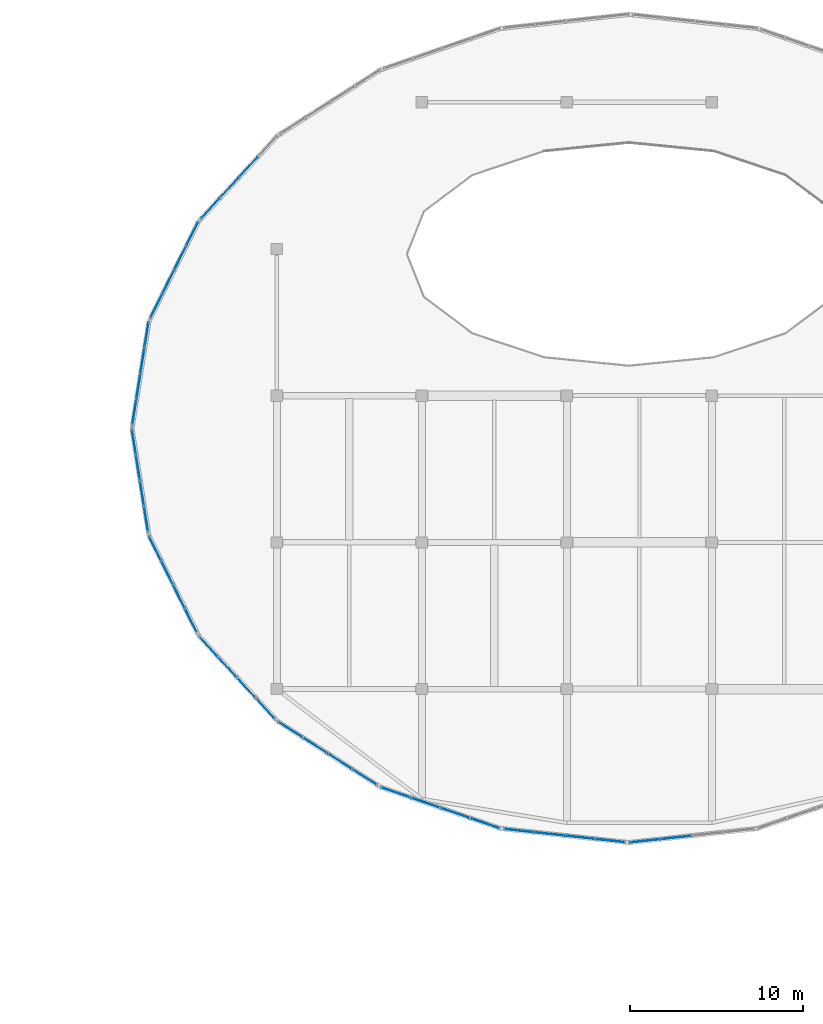
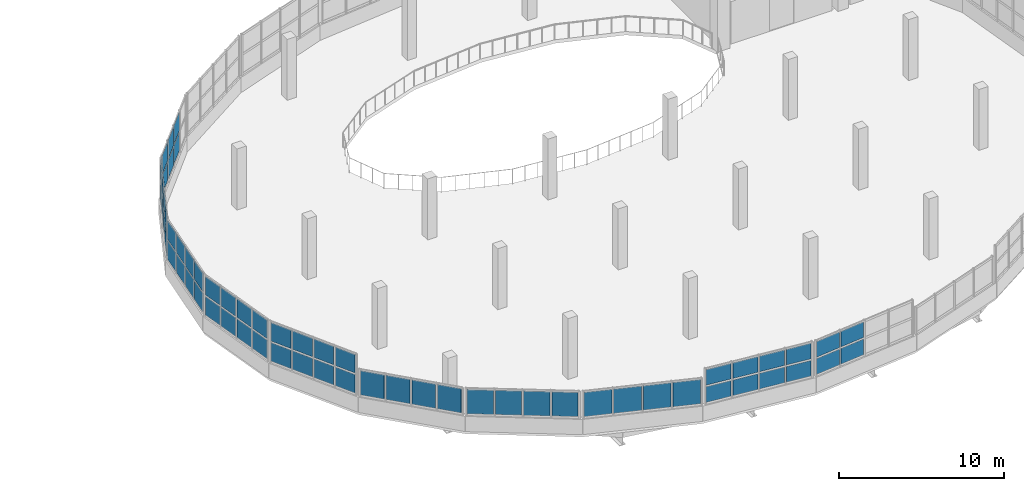
# One storey, part 32 of 50: 62 plates, 10 elements without a shape of their own.
"""IFC4 building model written with IfcOpenShell, lengths in metres."""

from ifc_helpers import new_model, si_unit, direction, frame, origin, origin_2d, place, context, subcontext, project, spatial, rectangle, extrude, material, type_object, element, aggregate, save


model = new_model("IFC4")

# Units and contexts
model_context = context("Model", 3, precision=1e-05, world=origin(), true_north=direction((0.0, 1.0)))
body_context = subcontext(model_context, "Body", "Model", "MODEL_VIEW")
ifc_project = project(units=[si_unit("LENGTHUNIT", "METRE"), si_unit("AREAUNIT", "SQUARE_METRE"), si_unit("VOLUMEUNIT", "CUBIC_METRE"), si_unit("PLANEANGLEUNIT", "RADIAN"), si_unit("MASSUNIT", "GRAM", prefix="KILO")], contexts=[model_context])

# Site, building, storey
site_placement = place(None, origin())
site = spatial("IfcSite", under=ifc_project, at=site_placement, CompositionType="ELEMENT")
building_placement = place(site_placement, origin())
building = spatial("IfcBuilding", under=site, at=building_placement, Name="Solvento Point Concert Hall", CompositionType="ELEMENT")
storey_placement = place(building_placement, frame((0.0, 0.0, 15.0)))
storey = spatial("IfcBuildingStorey", under=building, at=storey_placement, Name="L03", CompositionType="ELEMENT", Elevation=15.0)

# Curtain wall, plates
ifc_material_1 = material(Name="Anodized Bronze Aluminium", Category="aluminium")
curtain_wall_type = type_object("IfcCurtainWallType", Name="CurtainWall_RingRibbon_L03_04", PredefinedType="USERDEFINED", material=ifc_material_1)
curtain_wall_1_placement = place(storey_placement, origin())
curtain_wall_1 = element("IfcCurtainWall", 1, at=curtain_wall_1_placement, inside=storey, type_object=curtain_wall_type, Name="Unitised curtain wall CW-31 UCW-L03-186", ObjectType="UNITISED CURTAIN WALL", PredefinedType="USERDEFINED")
ifc_material_2 = material(Name="Hurricane Laminated Low-E Glass", Category="glass")
plate_type = type_object("IfcPlateType", Name="CurtainPanel_RingUpper", PredefinedType="CURTAIN_PANEL", material=ifc_material_2)
plate_1_placement = place(storey_placement, frame((52.8564453125, 9.224853515625, 1.239990234375), z_axis=(0.0, 0.0, 1.0), x_axis=(-0.945271125843, 0.326285915492, 0.0)))
plate_1 = element("IfcPlate", 2, at=plate_1_placement, type_object=plate_type, Name="Glazed curtain panel GL-03", PredefinedType="CURTAIN_PANEL", context=body_context, shape_type="SweptSolid", body=[
    extrude(rectangle(XDim=1.701904296875, YDim=0.035888671875, at=origin_2d()), origin(), (0.0, 0.0, 1.0), 1.7919921875),
])
plate_2_placement = place(storey_placement, frame((51.13427734375, 9.8193359375, 1.239990234375), z_axis=(0.0, 0.0, 1.0), x_axis=(-0.945271125843, 0.326285915492, 0.0)))
plate_2 = element("IfcPlate", 3, at=plate_2_placement, type_object=plate_type, Name="Glazed curtain panel GL-03", PredefinedType="CURTAIN_PANEL", context=body_context, shape_type="SweptSolid", body=[
    extrude(rectangle(XDim=1.701904296875, YDim=0.035888671875, at=origin_2d()), origin(), (0.0, 0.0, 1.0), 1.7919921875),
])
plate_3_placement = place(storey_placement, frame((49.411865234375, 10.413818359375, 1.239990234375), z_axis=(0.0, 0.0, 1.0), x_axis=(-0.945271125843, 0.326285915492, 0.0)))
plate_3 = element("IfcPlate", 4, at=plate_3_placement, type_object=plate_type, Name="Glazed curtain panel GL-03", PredefinedType="CURTAIN_PANEL", context=body_context, shape_type="SweptSolid", body=[
    extrude(rectangle(XDim=1.701904296875, YDim=0.035888671875, at=origin_2d()), origin(), (0.0, 0.0, 1.0), 1.7919921875),
])
plate_4_placement = place(storey_placement, frame((47.689453125, 11.00830078125, 1.239990234375), z_axis=(0.0, 0.0, 1.0), x_axis=(-0.945271125843, 0.326285915492, 0.0)))
plate_4 = element("IfcPlate", 5, at=plate_4_placement, type_object=plate_type, Name="Glazed curtain panel GL-03", PredefinedType="CURTAIN_PANEL", context=body_context, shape_type="SweptSolid", body=[
    extrude(rectangle(XDim=1.701904296875, YDim=0.035888671875, at=origin_2d()), origin(), (0.0, 0.0, 1.0), 1.7919921875),
])
aggregate(curtain_wall_1, [plate_1, plate_2, plate_3, plate_4])

curtain_wall_2_placement = place(storey_placement, origin())
curtain_wall_2 = element("IfcCurtainWall", 6, at=curtain_wall_2_placement, inside=storey, type_object=curtain_wall_type, Name="Unitised curtain wall CW-31 UCW-L03-187", ObjectType="UNITISED CURTAIN WALL", PredefinedType="USERDEFINED")
plate_5_placement = place(storey_placement, frame((45.8955078125, 11.893798828125, 1.239990234375), z_axis=(0.0, 0.0, 1.0), x_axis=(-0.842490008251, 0.538711969421, 0.0)))
plate_5 = element("IfcPlate", 7, at=plate_5_placement, type_object=plate_type, Name="Glazed curtain panel GL-03", PredefinedType="CURTAIN_PANEL", context=body_context, shape_type="SweptSolid", body=[
    extrude(rectangle(XDim=1.58740234375, YDim=0.035888671875, at=origin_2d()), origin(), (0.0, 0.0, 1.0), 1.7919921875),
])
plate_6_placement = place(storey_placement, frame((44.456787109375, 12.813720703125, 1.239990234375), z_axis=(0.0, 0.0, 1.0), x_axis=(-0.842490008251, 0.538711969421, 0.0)))
plate_6 = element("IfcPlate", 8, at=plate_6_placement, type_object=plate_type, Name="Glazed curtain panel GL-03", PredefinedType="CURTAIN_PANEL", context=body_context, shape_type="SweptSolid", body=[
    extrude(rectangle(XDim=1.58740234375, YDim=0.035888671875, at=origin_2d()), origin(), (0.0, 0.0, 1.0), 1.7919921875),
])
plate_7_placement = place(storey_placement, frame((43.018310546875, 13.7333984375, 1.239990234375), z_axis=(0.0, 0.0, 1.0), x_axis=(-0.842490008251, 0.538711969421, 0.0)))
plate_7 = element("IfcPlate", 9, at=plate_7_placement, type_object=plate_type, Name="Glazed curtain panel GL-03", PredefinedType="CURTAIN_PANEL", context=body_context, shape_type="SweptSolid", body=[
    extrude(rectangle(XDim=1.58740234375, YDim=0.035888671875, at=origin_2d()), origin(), (0.0, 0.0, 1.0), 1.7919921875),
])
plate_8_placement = place(storey_placement, frame((41.579833984375, 14.6533203125, 1.239990234375), z_axis=(0.0, 0.0, 1.0), x_axis=(-0.842490008251, 0.538711969421, 0.0)))
plate_8 = element("IfcPlate", 10, at=plate_8_placement, type_object=plate_type, Name="Glazed curtain panel GL-03", PredefinedType="CURTAIN_PANEL", context=body_context, shape_type="SweptSolid", body=[
    extrude(rectangle(XDim=1.58740234375, YDim=0.035888671875, at=origin_2d()), origin(), (0.0, 0.0, 1.0), 1.7919921875),
])
aggregate(curtain_wall_2, [plate_5, plate_6, plate_7, plate_8])

curtain_wall_3_placement = place(storey_placement, origin())
curtain_wall_3 = element("IfcCurtainWall", 11, at=curtain_wall_3_placement, inside=storey, type_object=curtain_wall_type, Name="Unitised curtain wall CW-31 UCW-L03-188", ObjectType="UNITISED CURTAIN WALL", PredefinedType="USERDEFINED")
plate_9_placement = place(storey_placement, frame((40.13525390625, 15.8896484375, 1.239990234375), z_axis=(0.0, 0.0, 1.0), x_axis=(-0.677365302802, 0.735646821892, 0.0)))
plate_9 = element("IfcPlate", 12, at=plate_9_placement, type_object=plate_type, Name="Glazed curtain panel GL-03", PredefinedType="CURTAIN_PANEL", context=body_context, shape_type="SweptSolid", body=[
    extrude(rectangle(XDim=1.506591796875, YDim=0.035888671875, at=origin_2d()), origin(), (0.0, 0.0, 1.0), 1.7919921875),
])
plate_10_placement = place(storey_placement, frame((39.033447265625, 17.086181640625, 1.239990234375), z_axis=(0.0, 0.0, 1.0), x_axis=(-0.677365302802, 0.735646821892, 0.0)))
plate_10 = element("IfcPlate", 13, at=plate_10_placement, type_object=plate_type, Name="Glazed curtain panel GL-03", PredefinedType="CURTAIN_PANEL", context=body_context, shape_type="SweptSolid", body=[
    extrude(rectangle(XDim=1.506591796875, YDim=0.035888671875, at=origin_2d()), origin(), (0.0, 0.0, 1.0), 1.7919921875),
])
plate_11_placement = place(storey_placement, frame((37.931640625, 18.282958984375, 1.239990234375), z_axis=(0.0, 0.0, 1.0), x_axis=(-0.677365302802, 0.735646821892, 0.0)))
plate_11 = element("IfcPlate", 14, at=plate_11_placement, type_object=plate_type, Name="Glazed curtain panel GL-03", PredefinedType="CURTAIN_PANEL", context=body_context, shape_type="SweptSolid", body=[
    extrude(rectangle(XDim=1.506591796875, YDim=0.035888671875, at=origin_2d()), origin(), (0.0, 0.0, 1.0), 1.7919921875),
])
plate_12_placement = place(storey_placement, frame((36.829833984375, 19.4794921875, 1.239990234375), z_axis=(0.0, 0.0, 1.0), x_axis=(-0.677365302802, 0.735646821892, 0.0)))
plate_12 = element("IfcPlate", 15, at=plate_12_placement, type_object=plate_type, Name="Glazed curtain panel GL-03", PredefinedType="CURTAIN_PANEL", context=body_context, shape_type="SweptSolid", body=[
    extrude(rectangle(XDim=1.506591796875, YDim=0.035888671875, at=origin_2d()), origin(), (0.0, 0.0, 1.0), 1.7919921875),
])
aggregate(curtain_wall_3, [plate_9, plate_10, plate_11, plate_12])

curtain_wall_4_placement = place(storey_placement, origin())
curtain_wall_4 = element("IfcCurtainWall", 16, at=curtain_wall_4_placement, inside=storey, type_object=curtain_wall_type, Name="Unitised curtain wall CW-31 UCW-L03-189", ObjectType="UNITISED CURTAIN WALL", PredefinedType="USERDEFINED")
plate_13_placement = place(storey_placement, frame((35.814697265625, 20.99267578125, 1.240234375), z_axis=(0.0, 0.0, 1.0), x_axis=(-0.445115052099, 0.895473388993, 0.0)))
plate_13 = element("IfcPlate", 17, at=plate_13_placement, type_object=plate_type, Name="Glazed curtain panel GL-03", PredefinedType="CURTAIN_PANEL", context=body_context, shape_type="SweptSolid", body=[
    extrude(rectangle(XDim=1.43359375, YDim=0.035888671875, at=origin_2d()), origin(), (0.0, 0.0, 1.0), 1.364990234375),
])
plate_14_placement = place(storey_placement, frame((35.814697265625, 20.99267578125, 2.72509765625), z_axis=(0.0, 0.0, 1.0), x_axis=(-0.445115052099, 0.895473388993, 0.0)))
plate_14 = element("IfcPlate", 18, at=plate_14_placement, type_object=plate_type, Name="Glazed curtain panel GL-03", PredefinedType="CURTAIN_PANEL", context=body_context, shape_type="SweptSolid", body=[
    extrude(rectangle(XDim=1.43359375, YDim=0.035888671875, at=origin_2d()), origin(), (0.0, 0.0, 1.0), 1.364990234375),
])
plate_15_placement = place(storey_placement, frame((35.123291015625, 22.3837890625, 1.240234375), z_axis=(0.0, 0.0, 1.0), x_axis=(-0.445115052099, 0.895473388993, 0.0)))
plate_15 = element("IfcPlate", 19, at=plate_15_placement, type_object=plate_type, Name="Glazed curtain panel GL-03", PredefinedType="CURTAIN_PANEL", context=body_context, shape_type="SweptSolid", body=[
    extrude(rectangle(XDim=1.43359375, YDim=0.035888671875, at=origin_2d()), origin(), (0.0, 0.0, 1.0), 1.364990234375),
])
plate_16_placement = place(storey_placement, frame((35.123291015625, 22.3837890625, 2.72509765625), z_axis=(0.0, 0.0, 1.0), x_axis=(-0.445115052099, 0.895473388993, 0.0)))
plate_16 = element("IfcPlate", 20, at=plate_16_placement, type_object=plate_type, Name="Glazed curtain panel GL-03", PredefinedType="CURTAIN_PANEL", context=body_context, shape_type="SweptSolid", body=[
    extrude(rectangle(XDim=1.43359375, YDim=0.035888671875, at=origin_2d()), origin(), (0.0, 0.0, 1.0), 1.364990234375),
])
plate_17_placement = place(storey_placement, frame((34.431884765625, 23.77490234375, 1.240234375), z_axis=(0.0, 0.0, 1.0), x_axis=(-0.445115052099, 0.895473388993, 0.0)))
plate_17 = element("IfcPlate", 21, at=plate_17_placement, type_object=plate_type, Name="Glazed curtain panel GL-03", PredefinedType="CURTAIN_PANEL", context=body_context, shape_type="SweptSolid", body=[
    extrude(rectangle(XDim=1.43359375, YDim=0.035888671875, at=origin_2d()), origin(), (0.0, 0.0, 1.0), 1.364990234375),
])
plate_18_placement = place(storey_placement, frame((34.431884765625, 23.77490234375, 2.72509765625), z_axis=(0.0, 0.0, 1.0), x_axis=(-0.445115052099, 0.895473388993, 0.0)))
plate_18 = element("IfcPlate", 22, at=plate_18_placement, type_object=plate_type, Name="Glazed curtain panel GL-03", PredefinedType="CURTAIN_PANEL", context=body_context, shape_type="SweptSolid", body=[
    extrude(rectangle(XDim=1.43359375, YDim=0.035888671875, at=origin_2d()), origin(), (0.0, 0.0, 1.0), 1.364990234375),
])
plate_19_placement = place(storey_placement, frame((33.740478515625, 25.166015625, 1.240234375), z_axis=(0.0, 0.0, 1.0), x_axis=(-0.445115052099, 0.895473388993, 0.0)))
plate_19 = element("IfcPlate", 23, at=plate_19_placement, type_object=plate_type, Name="Glazed curtain panel GL-03", PredefinedType="CURTAIN_PANEL", context=body_context, shape_type="SweptSolid", body=[
    extrude(rectangle(XDim=1.43359375, YDim=0.035888671875, at=origin_2d()), origin(), (0.0, 0.0, 1.0), 1.364990234375),
])
plate_20_placement = place(storey_placement, frame((33.740478515625, 25.166015625, 2.72509765625), z_axis=(0.0, 0.0, 1.0), x_axis=(-0.445115052099, 0.895473388993, 0.0)))
plate_20 = element("IfcPlate", 24, at=plate_20_placement, type_object=plate_type, Name="Glazed curtain panel GL-03", PredefinedType="CURTAIN_PANEL", context=body_context, shape_type="SweptSolid", body=[
    extrude(rectangle(XDim=1.43359375, YDim=0.035888671875, at=origin_2d()), origin(), (0.0, 0.0, 1.0), 1.364990234375),
])
aggregate(curtain_wall_4, [plate_13, plate_14, plate_15, plate_16, plate_17, plate_18, plate_19, plate_20])

curtain_wall_5_placement = place(storey_placement, origin())
curtain_wall_5 = element("IfcCurtainWall", 25, at=curtain_wall_5_placement, inside=storey, type_object=curtain_wall_type, Name="Unitised curtain wall CW-31 UCW-L03-190", ObjectType="UNITISED CURTAIN WALL", PredefinedType="USERDEFINED")
plate_21_placement = place(storey_placement, frame((33.229248046875, 26.851318359375, 1.240234375), z_axis=(0.0, 0.0, 1.0), x_axis=(-0.156041416836, 0.987750513152, 0.0)))
plate_21 = element("IfcPlate", 26, at=plate_21_placement, type_object=plate_type, Name="Glazed curtain panel GL-03", PredefinedType="CURTAIN_PANEL", context=body_context, shape_type="SweptSolid", body=[
    extrude(rectangle(XDim=1.3896484375, YDim=0.035888671875, at=origin_2d()), origin(), (0.0, 0.0, 1.0), 1.364990234375),
])
plate_22_placement = place(storey_placement, frame((33.229248046875, 26.851318359375, 2.72509765625), z_axis=(0.0, 0.0, 1.0), x_axis=(-0.156041416836, 0.987750513152, 0.0)))
plate_22 = element("IfcPlate", 27, at=plate_22_placement, type_object=plate_type, Name="Glazed curtain panel GL-03", PredefinedType="CURTAIN_PANEL", context=body_context, shape_type="SweptSolid", body=[
    extrude(rectangle(XDim=1.3896484375, YDim=0.035888671875, at=origin_2d()), origin(), (0.0, 0.0, 1.0), 1.364990234375),
])
plate_23_placement = place(storey_placement, frame((32.99365234375, 28.34228515625, 1.240234375), z_axis=(0.0, 0.0, 1.0), x_axis=(-0.156041416836, 0.987750513152, 0.0)))
plate_23 = element("IfcPlate", 28, at=plate_23_placement, type_object=plate_type, Name="Glazed curtain panel GL-03", PredefinedType="CURTAIN_PANEL", context=body_context, shape_type="SweptSolid", body=[
    extrude(rectangle(XDim=1.3896484375, YDim=0.035888671875, at=origin_2d()), origin(), (0.0, 0.0, 1.0), 1.364990234375),
])
plate_24_placement = place(storey_placement, frame((32.99365234375, 28.34228515625, 2.72509765625), z_axis=(0.0, 0.0, 1.0), x_axis=(-0.156041416836, 0.987750513152, 0.0)))
plate_24 = element("IfcPlate", 29, at=plate_24_placement, type_object=plate_type, Name="Glazed curtain panel GL-03", PredefinedType="CURTAIN_PANEL", context=body_context, shape_type="SweptSolid", body=[
    extrude(rectangle(XDim=1.3896484375, YDim=0.035888671875, at=origin_2d()), origin(), (0.0, 0.0, 1.0), 1.364990234375),
])
plate_25_placement = place(storey_placement, frame((32.758056640625, 29.83349609375, 1.240234375), z_axis=(0.0, 0.0, 1.0), x_axis=(-0.156041416836, 0.987750513152, 0.0)))
plate_25 = element("IfcPlate", 30, at=plate_25_placement, type_object=plate_type, Name="Glazed curtain panel GL-03", PredefinedType="CURTAIN_PANEL", context=body_context, shape_type="SweptSolid", body=[
    extrude(rectangle(XDim=1.3896484375, YDim=0.035888671875, at=origin_2d()), origin(), (0.0, 0.0, 1.0), 1.364990234375),
])
plate_26_placement = place(storey_placement, frame((32.758056640625, 29.83349609375, 2.72509765625), z_axis=(0.0, 0.0, 1.0), x_axis=(-0.156041416836, 0.987750513152, 0.0)))
plate_26 = element("IfcPlate", 31, at=plate_26_placement, type_object=plate_type, Name="Glazed curtain panel GL-03", PredefinedType="CURTAIN_PANEL", context=body_context, shape_type="SweptSolid", body=[
    extrude(rectangle(XDim=1.3896484375, YDim=0.035888671875, at=origin_2d()), origin(), (0.0, 0.0, 1.0), 1.364990234375),
])
plate_27_placement = place(storey_placement, frame((32.5224609375, 31.32470703125, 1.240234375), z_axis=(0.0, 0.0, 1.0), x_axis=(-0.156041416836, 0.987750513152, 0.0)))
plate_27 = element("IfcPlate", 32, at=plate_27_placement, type_object=plate_type, Name="Glazed curtain panel GL-03", PredefinedType="CURTAIN_PANEL", context=body_context, shape_type="SweptSolid", body=[
    extrude(rectangle(XDim=1.3896484375, YDim=0.035888671875, at=origin_2d()), origin(), (0.0, 0.0, 1.0), 1.364990234375),
])
plate_28_placement = place(storey_placement, frame((32.5224609375, 31.32470703125, 2.72509765625), z_axis=(0.0, 0.0, 1.0), x_axis=(-0.156041416836, 0.987750513152, 0.0)))
plate_28 = element("IfcPlate", 33, at=plate_28_placement, type_object=plate_type, Name="Glazed curtain panel GL-03", PredefinedType="CURTAIN_PANEL", context=body_context, shape_type="SweptSolid", body=[
    extrude(rectangle(XDim=1.3896484375, YDim=0.035888671875, at=origin_2d()), origin(), (0.0, 0.0, 1.0), 1.364990234375),
])
aggregate(curtain_wall_5, [plate_21, plate_22, plate_23, plate_24, plate_25, plate_26, plate_27, plate_28])

curtain_wall_6_placement = place(storey_placement, origin())
curtain_wall_6 = element("IfcCurtainWall", 34, at=curtain_wall_6_placement, inside=storey, type_object=curtain_wall_type, Name="Unitised curtain wall CW-31 UCW-L03-191", ObjectType="UNITISED CURTAIN WALL", PredefinedType="USERDEFINED")
plate_29_placement = place(storey_placement, frame((32.552001953125, 33.06298828125, 1.240234375), z_axis=(0.0, 0.0, 1.0), x_axis=(0.156041416836, 0.987750513152, 0.0)))
plate_29 = element("IfcPlate", 35, at=plate_29_placement, type_object=plate_type, Name="Glazed curtain panel GL-03", PredefinedType="CURTAIN_PANEL", context=body_context, shape_type="SweptSolid", body=[
    extrude(rectangle(XDim=1.3896484375, YDim=0.035888671875, at=origin_2d()), origin(), (0.0, 0.0, 1.0), 1.364990234375),
])
plate_30_placement = place(storey_placement, frame((32.552001953125, 33.06298828125, 2.72509765625), z_axis=(0.0, 0.0, 1.0), x_axis=(0.156041416836, 0.987750513152, 0.0)))
plate_30 = element("IfcPlate", 36, at=plate_30_placement, type_object=plate_type, Name="Glazed curtain panel GL-03", PredefinedType="CURTAIN_PANEL", context=body_context, shape_type="SweptSolid", body=[
    extrude(rectangle(XDim=1.3896484375, YDim=0.035888671875, at=origin_2d()), origin(), (0.0, 0.0, 1.0), 1.364990234375),
])
plate_31_placement = place(storey_placement, frame((32.78759765625, 34.55419921875, 1.240234375), z_axis=(0.0, 0.0, 1.0), x_axis=(0.156041416836, 0.987750513152, 0.0)))
plate_31 = element("IfcPlate", 37, at=plate_31_placement, type_object=plate_type, Name="Glazed curtain panel GL-03", PredefinedType="CURTAIN_PANEL", context=body_context, shape_type="SweptSolid", body=[
    extrude(rectangle(XDim=1.3896484375, YDim=0.035888671875, at=origin_2d()), origin(), (0.0, 0.0, 1.0), 1.364990234375),
])
plate_32_placement = place(storey_placement, frame((32.78759765625, 34.55419921875, 2.72509765625), z_axis=(0.0, 0.0, 1.0), x_axis=(0.156041416836, 0.987750513152, 0.0)))
plate_32 = element("IfcPlate", 38, at=plate_32_placement, type_object=plate_type, Name="Glazed curtain panel GL-03", PredefinedType="CURTAIN_PANEL", context=body_context, shape_type="SweptSolid", body=[
    extrude(rectangle(XDim=1.3896484375, YDim=0.035888671875, at=origin_2d()), origin(), (0.0, 0.0, 1.0), 1.364990234375),
])
plate_33_placement = place(storey_placement, frame((33.023193359375, 36.04541015625, 1.240234375), z_axis=(0.0, 0.0, 1.0), x_axis=(0.156041416836, 0.987750513152, 0.0)))
plate_33 = element("IfcPlate", 39, at=plate_33_placement, type_object=plate_type, Name="Glazed curtain panel GL-03", PredefinedType="CURTAIN_PANEL", context=body_context, shape_type="SweptSolid", body=[
    extrude(rectangle(XDim=1.3896484375, YDim=0.035888671875, at=origin_2d()), origin(), (0.0, 0.0, 1.0), 1.364990234375),
])
plate_34_placement = place(storey_placement, frame((33.023193359375, 36.04541015625, 2.72509765625), z_axis=(0.0, 0.0, 1.0), x_axis=(0.156041416836, 0.987750513152, 0.0)))
plate_34 = element("IfcPlate", 40, at=plate_34_placement, type_object=plate_type, Name="Glazed curtain panel GL-03", PredefinedType="CURTAIN_PANEL", context=body_context, shape_type="SweptSolid", body=[
    extrude(rectangle(XDim=1.3896484375, YDim=0.035888671875, at=origin_2d()), origin(), (0.0, 0.0, 1.0), 1.364990234375),
])
plate_35_placement = place(storey_placement, frame((33.2587890625, 37.53662109375, 1.240234375), z_axis=(0.0, 0.0, 1.0), x_axis=(0.156041416836, 0.987750513152, 0.0)))
plate_35 = element("IfcPlate", 41, at=plate_35_placement, type_object=plate_type, Name="Glazed curtain panel GL-03", PredefinedType="CURTAIN_PANEL", context=body_context, shape_type="SweptSolid", body=[
    extrude(rectangle(XDim=1.3896484375, YDim=0.035888671875, at=origin_2d()), origin(), (0.0, 0.0, 1.0), 1.364990234375),
])
plate_36_placement = place(storey_placement, frame((33.2587890625, 37.53662109375, 2.72509765625), z_axis=(0.0, 0.0, 1.0), x_axis=(0.156041416836, 0.987750513152, 0.0)))
plate_36 = element("IfcPlate", 42, at=plate_36_placement, type_object=plate_type, Name="Glazed curtain panel GL-03", PredefinedType="CURTAIN_PANEL", context=body_context, shape_type="SweptSolid", body=[
    extrude(rectangle(XDim=1.3896484375, YDim=0.035888671875, at=origin_2d()), origin(), (0.0, 0.0, 1.0), 1.364990234375),
])
aggregate(curtain_wall_6, [plate_29, plate_30, plate_31, plate_32, plate_33, plate_34, plate_35, plate_36])

curtain_wall_7_placement = place(storey_placement, origin())
curtain_wall_7 = element("IfcCurtainWall", 43, at=curtain_wall_7_placement, inside=storey, type_object=curtain_wall_type, Name="Unitised curtain wall CW-31 UCW-L03-192", ObjectType="UNITISED CURTAIN WALL", PredefinedType="USERDEFINED")
plate_37_placement = place(storey_placement, frame((33.824951171875, 39.204345703125, 1.240234375), z_axis=(0.0, 0.0, 1.0), x_axis=(0.445115052099, 0.895473388993, 0.0)))
plate_37 = element("IfcPlate", 44, at=plate_37_placement, type_object=plate_type, Name="Glazed curtain panel GL-03", PredefinedType="CURTAIN_PANEL", context=body_context, shape_type="SweptSolid", body=[
    extrude(rectangle(XDim=1.43359375, YDim=0.035888671875, at=origin_2d()), origin(), (0.0, 0.0, 1.0), 1.364990234375),
])
plate_38_placement = place(storey_placement, frame((33.824951171875, 39.204345703125, 2.72509765625), z_axis=(0.0, 0.0, 1.0), x_axis=(0.445115052099, 0.895473388993, 0.0)))
plate_38 = element("IfcPlate", 45, at=plate_38_placement, type_object=plate_type, Name="Glazed curtain panel GL-03", PredefinedType="CURTAIN_PANEL", context=body_context, shape_type="SweptSolid", body=[
    extrude(rectangle(XDim=1.43359375, YDim=0.035888671875, at=origin_2d()), origin(), (0.0, 0.0, 1.0), 1.364990234375),
])
plate_39_placement = place(storey_placement, frame((34.516357421875, 40.595458984375, 1.240234375), z_axis=(0.0, 0.0, 1.0), x_axis=(0.445115052099, 0.895473388993, 0.0)))
plate_39 = element("IfcPlate", 46, at=plate_39_placement, type_object=plate_type, Name="Glazed curtain panel GL-03", PredefinedType="CURTAIN_PANEL", context=body_context, shape_type="SweptSolid", body=[
    extrude(rectangle(XDim=1.43359375, YDim=0.035888671875, at=origin_2d()), origin(), (0.0, 0.0, 1.0), 1.364990234375),
])
plate_40_placement = place(storey_placement, frame((34.516357421875, 40.595458984375, 2.72509765625), z_axis=(0.0, 0.0, 1.0), x_axis=(0.445115052099, 0.895473388993, 0.0)))
plate_40 = element("IfcPlate", 47, at=plate_40_placement, type_object=plate_type, Name="Glazed curtain panel GL-03", PredefinedType="CURTAIN_PANEL", context=body_context, shape_type="SweptSolid", body=[
    extrude(rectangle(XDim=1.43359375, YDim=0.035888671875, at=origin_2d()), origin(), (0.0, 0.0, 1.0), 1.364990234375),
])
plate_41_placement = place(storey_placement, frame((35.2080078125, 41.986572265625, 1.240234375), z_axis=(0.0, 0.0, 1.0), x_axis=(0.445115052099, 0.895473388993, 0.0)))
plate_41 = element("IfcPlate", 48, at=plate_41_placement, type_object=plate_type, Name="Glazed curtain panel GL-03", PredefinedType="CURTAIN_PANEL", context=body_context, shape_type="SweptSolid", body=[
    extrude(rectangle(XDim=1.43359375, YDim=0.035888671875, at=origin_2d()), origin(), (0.0, 0.0, 1.0), 1.364990234375),
])
plate_42_placement = place(storey_placement, frame((35.2080078125, 41.986572265625, 2.72509765625), z_axis=(0.0, 0.0, 1.0), x_axis=(0.445115052099, 0.895473388993, 0.0)))
plate_42 = element("IfcPlate", 49, at=plate_42_placement, type_object=plate_type, Name="Glazed curtain panel GL-03", PredefinedType="CURTAIN_PANEL", context=body_context, shape_type="SweptSolid", body=[
    extrude(rectangle(XDim=1.43359375, YDim=0.035888671875, at=origin_2d()), origin(), (0.0, 0.0, 1.0), 1.364990234375),
])
plate_43_placement = place(storey_placement, frame((35.8994140625, 43.377685546875, 1.240234375), z_axis=(0.0, 0.0, 1.0), x_axis=(0.445115052099, 0.895473388993, 0.0)))
plate_43 = element("IfcPlate", 50, at=plate_43_placement, type_object=plate_type, Name="Glazed curtain panel GL-03", PredefinedType="CURTAIN_PANEL", context=body_context, shape_type="SweptSolid", body=[
    extrude(rectangle(XDim=1.43359375, YDim=0.035888671875, at=origin_2d()), origin(), (0.0, 0.0, 1.0), 1.364990234375),
])
plate_44_placement = place(storey_placement, frame((35.8994140625, 43.377685546875, 2.72509765625), z_axis=(0.0, 0.0, 1.0), x_axis=(0.445115052099, 0.895473388993, 0.0)))
plate_44 = element("IfcPlate", 51, at=plate_44_placement, type_object=plate_type, Name="Glazed curtain panel GL-03", PredefinedType="CURTAIN_PANEL", context=body_context, shape_type="SweptSolid", body=[
    extrude(rectangle(XDim=1.43359375, YDim=0.035888671875, at=origin_2d()), origin(), (0.0, 0.0, 1.0), 1.364990234375),
])
aggregate(curtain_wall_7, [plate_37, plate_38, plate_39, plate_40, plate_41, plate_42, plate_43, plate_44])

curtain_wall_8_placement = place(storey_placement, origin())
curtain_wall_8 = element("IfcCurtainWall", 52, at=curtain_wall_8_placement, inside=storey, type_object=curtain_wall_type, Name="Unitised curtain wall CW-31 UCW-L03-193", ObjectType="UNITISED CURTAIN WALL", PredefinedType="USERDEFINED")
plate_45_placement = place(storey_placement, frame((36.95849609375, 44.860107421875, 1.240234375), z_axis=(0.0, 0.0, 1.0), x_axis=(0.677365302802, 0.735646821892, 0.0)))
plate_45 = element("IfcPlate", 53, at=plate_45_placement, type_object=plate_type, Name="Glazed curtain panel GL-03", PredefinedType="CURTAIN_PANEL", context=body_context, shape_type="SweptSolid", body=[
    extrude(rectangle(XDim=1.506591796875, YDim=0.035888671875, at=origin_2d()), origin(), (0.0, 0.0, 1.0), 1.364990234375),
])
plate_46_placement = place(storey_placement, frame((36.95849609375, 44.860107421875, 2.72509765625), z_axis=(0.0, 0.0, 1.0), x_axis=(0.677365302802, 0.735646821892, 0.0)))
plate_46 = element("IfcPlate", 54, at=plate_46_placement, type_object=plate_type, Name="Glazed curtain panel GL-03", PredefinedType="CURTAIN_PANEL", context=body_context, shape_type="SweptSolid", body=[
    extrude(rectangle(XDim=1.506591796875, YDim=0.035888671875, at=origin_2d()), origin(), (0.0, 0.0, 1.0), 1.364990234375),
])
plate_47_placement = place(storey_placement, frame((38.060302734375, 46.056884765625, 1.240234375), z_axis=(0.0, 0.0, 1.0), x_axis=(0.677365302802, 0.735646821892, 0.0)))
plate_47 = element("IfcPlate", 55, at=plate_47_placement, type_object=plate_type, Name="Glazed curtain panel GL-03", PredefinedType="CURTAIN_PANEL", context=body_context, shape_type="SweptSolid", body=[
    extrude(rectangle(XDim=1.506591796875, YDim=0.035888671875, at=origin_2d()), origin(), (0.0, 0.0, 1.0), 1.364990234375),
])
plate_48_placement = place(storey_placement, frame((38.060302734375, 46.056884765625, 2.72509765625), z_axis=(0.0, 0.0, 1.0), x_axis=(0.677365302802, 0.735646821892, 0.0)))
plate_48 = element("IfcPlate", 56, at=plate_48_placement, type_object=plate_type, Name="Glazed curtain panel GL-03", PredefinedType="CURTAIN_PANEL", context=body_context, shape_type="SweptSolid", body=[
    extrude(rectangle(XDim=1.506591796875, YDim=0.035888671875, at=origin_2d()), origin(), (0.0, 0.0, 1.0), 1.364990234375),
])
plate_49_placement = place(storey_placement, frame((39.162109375, 47.25341796875, 1.240234375), z_axis=(0.0, 0.0, 1.0), x_axis=(0.677365302802, 0.735646821892, 0.0)))
plate_49 = element("IfcPlate", 57, at=plate_49_placement, type_object=plate_type, Name="Glazed curtain panel GL-03", PredefinedType="CURTAIN_PANEL", context=body_context, shape_type="SweptSolid", body=[
    extrude(rectangle(XDim=1.506591796875, YDim=0.035888671875, at=origin_2d()), origin(), (0.0, 0.0, 1.0), 1.364990234375),
])
plate_50_placement = place(storey_placement, frame((39.162109375, 47.25341796875, 2.72509765625), z_axis=(0.0, 0.0, 1.0), x_axis=(0.677365302802, 0.735646821892, 0.0)))
plate_50 = element("IfcPlate", 58, at=plate_50_placement, type_object=plate_type, Name="Glazed curtain panel GL-03", PredefinedType="CURTAIN_PANEL", context=body_context, shape_type="SweptSolid", body=[
    extrude(rectangle(XDim=1.506591796875, YDim=0.035888671875, at=origin_2d()), origin(), (0.0, 0.0, 1.0), 1.364990234375),
])
aggregate(curtain_wall_8, [plate_45, plate_46, plate_47, plate_48, plate_49, plate_50])

curtain_wall_9_placement = place(storey_placement, origin())
curtain_wall_9 = element("IfcCurtainWall", 59, at=curtain_wall_9_placement, inside=storey, type_object=curtain_wall_type, Name="Unitised curtain wall CW-31 UCW-L03-207", ObjectType="UNITISED CURTAIN WALL", PredefinedType="USERDEFINED")
plate_51_placement = place(storey_placement, frame((63.931884765625, 8.399658203125, 1.239990234375), z_axis=(0.0, 0.0, 1.0), x_axis=(-0.994035418963, -0.109057717961, 0.0)))
plate_51 = element("IfcPlate", 60, at=plate_51_placement, type_object=plate_type, Name="Glazed curtain panel GL-03", PredefinedType="CURTAIN_PANEL", context=body_context, shape_type="SweptSolid", body=[
    extrude(rectangle(XDim=1.692138671875, YDim=0.035888671875, at=origin_2d()), origin(), (0.0, 0.0, 1.0), 1.15380859375),
])
plate_52_placement = place(storey_placement, frame((63.931884765625, 8.399658203125, 2.513916015625), z_axis=(0.0, 0.0, 1.0), x_axis=(-0.994035418963, -0.109057717961, 0.0)))
plate_52 = element("IfcPlate", 61, at=plate_52_placement, type_object=plate_type, Name="Glazed curtain panel GL-03", PredefinedType="CURTAIN_PANEL", context=body_context, shape_type="SweptSolid", body=[
    extrude(rectangle(XDim=1.692138671875, YDim=0.035888671875, at=origin_2d()), origin(), (0.0, 0.0, 1.0), 1.15380859375),
])
plate_53_placement = place(storey_placement, frame((62.130615234375, 8.2021484375, 1.239990234375), z_axis=(0.0, 0.0, 1.0), x_axis=(-0.994035418963, -0.109057717961, 0.0)))
plate_53 = element("IfcPlate", 62, at=plate_53_placement, type_object=plate_type, Name="Glazed curtain panel GL-03", PredefinedType="CURTAIN_PANEL", context=body_context, shape_type="SweptSolid", body=[
    extrude(rectangle(XDim=1.692138671875, YDim=0.035888671875, at=origin_2d()), origin(), (0.0, 0.0, 1.0), 1.15380859375),
])
plate_54_placement = place(storey_placement, frame((62.130615234375, 8.2021484375, 2.513916015625), z_axis=(0.0, 0.0, 1.0), x_axis=(-0.994035418963, -0.109057717961, 0.0)))
plate_54 = element("IfcPlate", 63, at=plate_54_placement, type_object=plate_type, Name="Glazed curtain panel GL-03", PredefinedType="CURTAIN_PANEL", context=body_context, shape_type="SweptSolid", body=[
    extrude(rectangle(XDim=1.692138671875, YDim=0.035888671875, at=origin_2d()), origin(), (0.0, 0.0, 1.0), 1.15380859375),
])
aggregate(curtain_wall_9, [plate_51, plate_52, plate_53, plate_54])

curtain_wall_10_placement = place(storey_placement, origin())
curtain_wall_10 = element("IfcCurtainWall", 64, at=curtain_wall_10_placement, inside=storey, type_object=curtain_wall_type, Name="Unitised curtain wall CW-31 UCW-L03-208", ObjectType="UNITISED CURTAIN WALL", PredefinedType="USERDEFINED")
plate_55_placement = place(storey_placement, frame((60.104248046875, 8.22021484375, 1.239990234375), z_axis=(0.0, 0.0, 1.0), x_axis=(-0.994035418963, 0.109057717961, 0.0)))
plate_55 = element("IfcPlate", 65, at=plate_55_placement, type_object=plate_type, Name="Glazed curtain panel GL-03", PredefinedType="CURTAIN_PANEL", context=body_context, shape_type="SweptSolid", body=[
    extrude(rectangle(XDim=1.644775390625, YDim=0.035888671875, at=origin_2d()), origin(), (0.0, 0.0, 1.0), 1.15380859375),
])
plate_56_placement = place(storey_placement, frame((60.104248046875, 8.22021484375, 2.513916015625), z_axis=(0.0, 0.0, 1.0), x_axis=(-0.994035418963, 0.109057717961, 0.0)))
plate_56 = element("IfcPlate", 66, at=plate_56_placement, type_object=plate_type, Name="Glazed curtain panel GL-03", PredefinedType="CURTAIN_PANEL", context=body_context, shape_type="SweptSolid", body=[
    extrude(rectangle(XDim=1.644775390625, YDim=0.035888671875, at=origin_2d()), origin(), (0.0, 0.0, 1.0), 1.15380859375),
])
plate_57_placement = place(storey_placement, frame((58.35009765625, 8.41259765625, 1.239990234375), z_axis=(0.0, 0.0, 1.0), x_axis=(-0.994035418963, 0.109057717961, 0.0)))
plate_57 = element("IfcPlate", 67, at=plate_57_placement, type_object=plate_type, Name="Glazed curtain panel GL-03", PredefinedType="CURTAIN_PANEL", context=body_context, shape_type="SweptSolid", body=[
    extrude(rectangle(XDim=1.644775390625, YDim=0.035888671875, at=origin_2d()), origin(), (0.0, 0.0, 1.0), 1.15380859375),
])
plate_58_placement = place(storey_placement, frame((58.35009765625, 8.41259765625, 2.513916015625), z_axis=(0.0, 0.0, 1.0), x_axis=(-0.994035418963, 0.109057717961, 0.0)))
plate_58 = element("IfcPlate", 68, at=plate_58_placement, type_object=plate_type, Name="Glazed curtain panel GL-03", PredefinedType="CURTAIN_PANEL", context=body_context, shape_type="SweptSolid", body=[
    extrude(rectangle(XDim=1.644775390625, YDim=0.035888671875, at=origin_2d()), origin(), (0.0, 0.0, 1.0), 1.15380859375),
])
plate_59_placement = place(storey_placement, frame((56.595947265625, 8.60498046875, 1.239990234375), z_axis=(0.0, 0.0, 1.0), x_axis=(-0.994035418963, 0.109057717961, 0.0)))
plate_59 = element("IfcPlate", 69, at=plate_59_placement, type_object=plate_type, Name="Glazed curtain panel GL-03", PredefinedType="CURTAIN_PANEL", context=body_context, shape_type="SweptSolid", body=[
    extrude(rectangle(XDim=1.644775390625, YDim=0.035888671875, at=origin_2d()), origin(), (0.0, 0.0, 1.0), 1.15380859375),
])
plate_60_placement = place(storey_placement, frame((56.595947265625, 8.60498046875, 2.513916015625), z_axis=(0.0, 0.0, 1.0), x_axis=(-0.994035418963, 0.109057717961, 0.0)))
plate_60 = element("IfcPlate", 70, at=plate_60_placement, type_object=plate_type, Name="Glazed curtain panel GL-03", PredefinedType="CURTAIN_PANEL", context=body_context, shape_type="SweptSolid", body=[
    extrude(rectangle(XDim=1.644775390625, YDim=0.035888671875, at=origin_2d()), origin(), (0.0, 0.0, 1.0), 1.15380859375),
])
plate_61_placement = place(storey_placement, frame((54.841796875, 8.797607421875, 1.239990234375), z_axis=(0.0, 0.0, 1.0), x_axis=(-0.994035418963, 0.109057717961, 0.0)))
plate_61 = element("IfcPlate", 71, at=plate_61_placement, type_object=plate_type, Name="Glazed curtain panel GL-03", PredefinedType="CURTAIN_PANEL", context=body_context, shape_type="SweptSolid", body=[
    extrude(rectangle(XDim=1.644775390625, YDim=0.035888671875, at=origin_2d()), origin(), (0.0, 0.0, 1.0), 1.15380859375),
])
plate_62_placement = place(storey_placement, frame((54.841796875, 8.797607421875, 2.513916015625), z_axis=(0.0, 0.0, 1.0), x_axis=(-0.994035418963, 0.109057717961, 0.0)))
plate_62 = element("IfcPlate", 72, at=plate_62_placement, type_object=plate_type, Name="Glazed curtain panel GL-03", PredefinedType="CURTAIN_PANEL", context=body_context, shape_type="SweptSolid", body=[
    extrude(rectangle(XDim=1.644775390625, YDim=0.035888671875, at=origin_2d()), origin(), (0.0, 0.0, 1.0), 1.15380859375),
])
aggregate(curtain_wall_10, [plate_55, plate_56, plate_57, plate_58, plate_59, plate_60, plate_61, plate_62])

save(model, "model.ifc")
